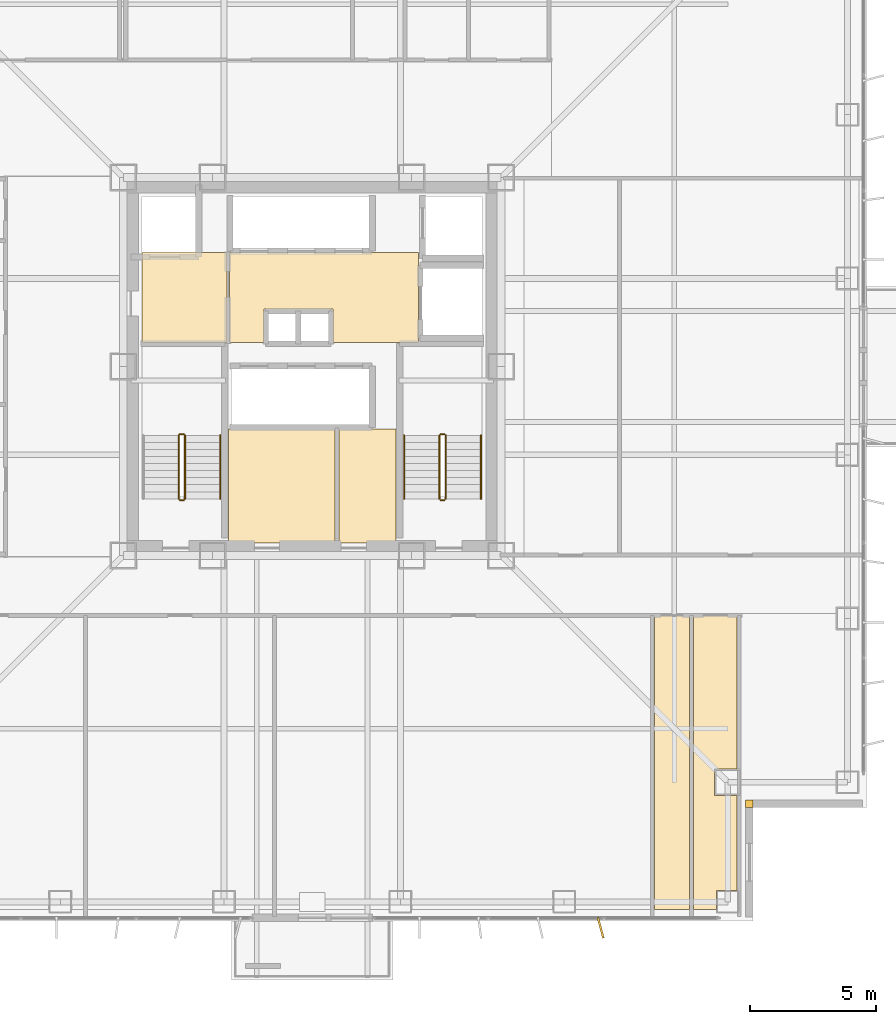
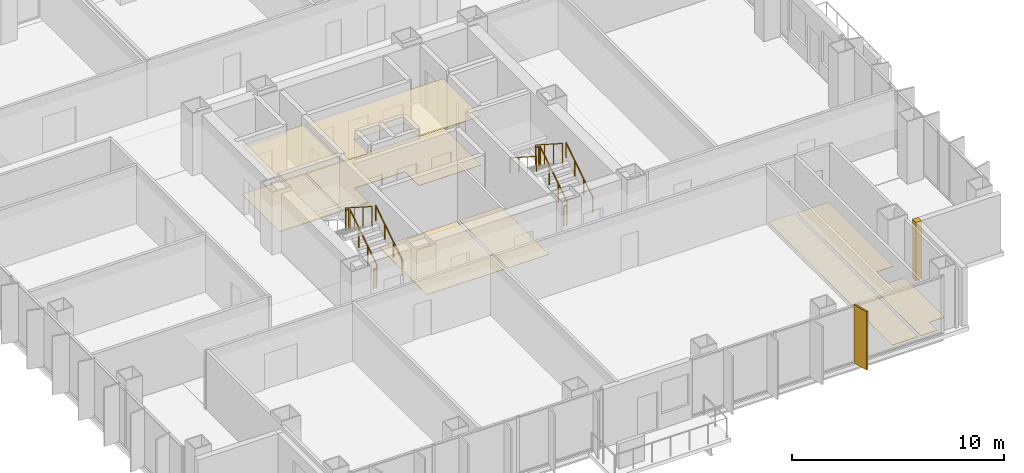
# One storey, part 17 of 18: 11 railings, 9 coverings, 1 shading device.
"""IFC4 building model written with IfcOpenShell, lengths in metres."""

from ifc_helpers import new_model, si_unit, direction, frame, origin, origin_2d, place, context, subcontext, project, spatial, polyline, rectangle, circle, outline, extrude, material, layer, layer_set, type_object, element, save


model = new_model("IFC4")

# Units and contexts
model_context = context("Model", 3, precision=1e-05, world=origin(), true_north=direction((0.0, 1.0)))
body_context = subcontext(model_context, "Body", "Model", "MODEL_VIEW")
ifc_project = project(units=[si_unit("LENGTHUNIT", "METRE"), si_unit("AREAUNIT", "SQUARE_METRE"), si_unit("VOLUMEUNIT", "CUBIC_METRE"), si_unit("PLANEANGLEUNIT", "RADIAN"), si_unit("MASSUNIT", "GRAM", prefix="KILO")], contexts=[model_context])

# Site, building, storey
site_placement = place(None, origin())
site = spatial("IfcSite", under=ifc_project, at=site_placement, CompositionType="ELEMENT")
building_placement = place(site_placement, origin())
building = spatial("IfcBuilding", under=site, at=building_placement, Name="Trevonay Congress Spire", CompositionType="ELEMENT")
storey_placement = place(building_placement, frame((0.0, 0.0, 104.800048828125)))
storey = spatial("IfcBuildingStorey", under=building, at=storey_placement, Name="L26", CompositionType="ELEMENT", Elevation=104.800048828125)

# Coverings
ifc_material_1 = material(Name="Acoustic Mineral Fibre Board", Category="gypsum")
ifc_layer_1 = layer(ifc_material_1, 0.02490234375, Name="Acoustic Mineral Fibre Board")
ifc_layer_set_1 = layer_set([ifc_layer_1], Name="Acoustic Mineral Fibre Board")
covering_type_1 = type_object("IfcCoveringType", Name="COV-CEIL-ACOUSTIC", PredefinedType="CEILING", material=ifc_layer_set_1)
covering_1_placement = place(storey_placement, frame((0.0, 0.0, 2.81005859375)))
element("IfcCovering", 1, at=covering_1_placement, inside=storey, type_object=covering_type_1, Name="L26 Firefighting Lift Lobby West acoustic suspended ceiling", PredefinedType="CEILING", context=body_context, shape_type="SweptSolid", body=[
    extrude(outline(polyline([(-6.75, 0.9599609375), (-3.3798828125, 0.9599609375), (-3.3798828125, 4.52001953125), (-6.75, 4.52001953125), (-6.75, 0.9599609375)])), origin(), (0.0, 0.0, 1.0), 0.02490234375),
])
covering_2_placement = place(storey_placement, frame((0.0, 0.0, 2.81005859375)))
element("IfcCovering", 2, at=covering_2_placement, inside=storey, type_object=covering_type_1, Name="L26 Central and High-Rise Passenger Lift Lobby acoustic suspended ceiling", PredefinedType="CEILING", context=body_context, shape_type="SweptSolid", body=[
    extrude(outline(polyline([(-3.280029296875, 0.949951171875), (-1.919921875, 0.949951171875), (-1.919921875, 2.280029296875), (0.820068359375, 2.280029296875), (0.820068359375, 0.949951171875), (4.219970703125, 0.949951171875), (4.219970703125, 4.52001953125), (-3.280029296875, 4.52001953125), (-3.280029296875, 0.949951171875)])), origin(), (0.0, 0.0, 1.0), 0.02490234375),
])
ifc_material_2 = material(Name="Polished Granite Floor Tile", Category="masonry")
ifc_layer_2 = layer(ifc_material_2, 0.02001953125, Name="Polished Granite Floor Tile")
ifc_layer_set_2 = layer_set([ifc_layer_2], Name="Polished Granite Floor Tile")
covering_type_2 = type_object("IfcCoveringType", Name="COV-FLOOR-STONE", PredefinedType="FLOORING", material=ifc_layer_set_2)
covering_3_placement = place(storey_placement, origin())
element("IfcCovering", 3, at=covering_3_placement, inside=storey, type_object=covering_type_2, Name="L26 Firefighting Lift Lobby West floor finish", PredefinedType="FLOORING", context=body_context, shape_type="SweptSolid", body=[
    extrude(outline(polyline([(-6.75, 0.9599609375), (-3.3798828125, 0.9599609375), (-3.3798828125, 4.52001953125), (-6.75, 4.52001953125), (-6.75, 0.9599609375)])), origin(), (0.0, 0.0, 1.0), 0.02001953125),
])
covering_4_placement = place(storey_placement, origin())
element("IfcCovering", 4, at=covering_4_placement, inside=storey, type_object=covering_type_2, Name="L26 Central and High-Rise Passenger Lift Lobby floor finish", PredefinedType="FLOORING", context=body_context, shape_type="SweptSolid", body=[
    extrude(outline(polyline([(-3.280029296875, 0.949951171875), (-1.919921875, 0.949951171875), (-1.919921875, 2.280029296875), (0.820068359375, 2.280029296875), (0.820068359375, 0.949951171875), (4.219970703125, 0.949951171875), (4.219970703125, 4.52001953125), (-3.280029296875, 4.52001953125), (-3.280029296875, 0.949951171875)])), origin(), (0.0, 0.0, 1.0), 0.02001953125),
])
covering_5_placement = place(storey_placement, origin())
element("IfcCovering", 5, at=covering_5_placement, inside=storey, type_object=covering_type_2, Name="L26 Translation Equipment Hub floor finish", PredefinedType="FLOORING", context=body_context, shape_type="SweptSolid", body=[
    extrude(outline(polyline([(-3.320068359375, -7.0), (0.89990234375, -7.0), (0.89990234375, -2.47998046875), (-3.320068359375, -2.47998046875), (-3.320068359375, -7.0)])), origin(), (0.0, 0.0, 1.0), 0.02001953125),
])
covering_6_placement = place(storey_placement, origin())
element("IfcCovering", 6, at=covering_6_placement, inside=storey, type_object=covering_type_2, Name="L26 Floor Supplies Store floor finish", PredefinedType="FLOORING", context=body_context, shape_type="SweptSolid", body=[
    extrude(outline(polyline([(1.06005859375, -7.0), (3.320068359375, -7.0), (3.320068359375, -2.47998046875), (1.06005859375, -2.47998046875), (1.06005859375, -7.0)])), origin(), (0.0, 0.0, 1.0), 0.02001953125),
])
covering_7_placement = place(storey_placement, origin())
element("IfcCovering", 7, at=covering_7_placement, inside=storey, type_object=covering_type_2, Name="L26 Accessible WC floor finish", PredefinedType="FLOORING", context=body_context, shape_type="SweptSolid", body=[
    extrude(outline(polyline([(13.580078125, -21.550048828125), (14.97998046875, -21.550048828125), (14.97998046875, -9.8798828125), (13.580078125, -9.8798828125), (13.580078125, -21.550048828125)])), origin(), (0.0, 0.0, 1.0), 0.02001953125),
])
covering_8_placement = place(storey_placement, origin())
element("IfcCovering", 8, at=covering_8_placement, inside=storey, type_object=covering_type_2, Name="L26 Floor Supplies and Copy Room floor finish", PredefinedType="FLOORING", context=body_context, shape_type="SweptSolid", body=[
    extrude(outline(polyline([(15.139892578125, -21.550048828125), (15.139892578125, -9.8798828125), (16.8701171875, -9.8798828125), (16.8701171875, -15.965087890625), (15.965087890625, -15.965087890625), (15.965087890625, -17.034912109375), (16.8701171875, -17.034912109375), (16.8701171875, -20.7900390625), (16.0400390625, -20.7900390625), (16.0400390625, -21.550048828125), (15.139892578125, -21.550048828125)])), origin(), (0.0, 0.0, 1.0), 0.02001953125),
])
ifc_material_3 = material(Name="Pale Anodised Aluminium EN AW-6063-T6", Category="aluminium")
ifc_layer_3 = layer(ifc_material_3, 0.0400390625, Name="Pale Anodised Aluminium EN AW-6063-T6")
ifc_layer_set_3 = layer_set([ifc_layer_3], Name="Pale Anodised Aluminium EN AW-6063-T6")
covering_type_3 = type_object("IfcCoveringType", Name="COV-SPANDREL-PALE-METAL", PredefinedType="CLADDING", material=ifc_layer_set_3)
covering_9_placement = place(storey_placement, origin())
element("IfcCovering", 9, at=covering_9_placement, inside=storey, type_object=covering_type_3, Name="L26 SE re-entrant notch corner closure trim", PredefinedType="CLADDING", context=body_context, shape_type="SweptSolid", body=[
    extrude(outline(polyline([(17.199951171875, -17.5), (17.5, -17.5), (17.5, -17.199951171875), (17.199951171875, -17.199951171875), (17.199951171875, -17.5)])), origin(), (0.0, 0.0, 1.0), 3.35986328125),
])

# Railings
railing_type_1 = type_object("IfcRailingType", Name="RAL-STAIR-GUARD-110", PredefinedType="GUARDRAIL", material=ifc_material_3)
railing_1_placement = place(storey_placement, frame((-5.050048828125, -5.25, 0.179931640625)))
element("IfcRailing", 10, at=railing_1_placement, inside=storey, type_object=railing_type_1, Name="L26 ST-1 stair guard 1", PredefinedType="GUARDRAIL", context=body_context, shape_type="SweptSolid", body=[
    extrude(circle(Radius=0.02392578125, at=origin_2d()), frame((0.0, 0.0, 1.1259765625), z_axis=(0.0, 0.841162588446, 0.540782303519), x_axis=(-1.0, 0.0, 0.0)), (0.0, 0.0, 1.0), 2.995849609375),
    extrude(circle(Radius=0.02099609375, at=origin_2d()), origin(), (0.0, 0.0, 1.0), 1.101806640625),
    extrude(circle(Radius=0.02099609375, at=origin_2d()), frame((0.0, 0.840087890625, 0.5400390625)), (0.0, 0.0, 1.0), 1.101806640625),
    extrude(circle(Radius=0.02099609375, at=origin_2d()), frame((0.0, 1.679931640625, 1.080078125)), (0.0, 0.0, 1.0), 1.101806640625),
    extrude(circle(Radius=0.02099609375, at=origin_2d()), frame((0.0, 2.52001953125, 1.6201171875)), (0.0, 0.0, 1.0), 1.101806640625),
])
railing_2_placement = place(storey_placement, frame((-5.10009765625, -2.679931640625, 1.800048828125)))
element("IfcRailing", 11, at=railing_2_placement, inside=storey, type_object=railing_type_1, Name="L26 ST-1 stair guard 2", PredefinedType="GUARDRAIL", context=body_context, shape_type="SweptSolid", body=[
    extrude(circle(Radius=0.02392578125, at=origin_2d()), frame((0.0, 0.0, 1.1259765625), z_axis=(-1.0, 0.0, 0.0), x_axis=(0.0, -1.0, 0.0)), (0.0, 0.0, 1.0), 0.14990234375),
    extrude(circle(Radius=0.02099609375, at=origin_2d()), origin(), (0.0, 0.0, 1.0), 1.101806640625),
    extrude(circle(Radius=0.02099609375, at=origin_2d()), frame((-0.14990234375, 0.0, 0.0)), (0.0, 0.0, 1.0), 1.101806640625),
])
railing_3_placement = place(storey_placement, frame((-5.300048828125, -2.72998046875, 1.97998046875)))
element("IfcRailing", 12, at=railing_3_placement, inside=storey, type_object=railing_type_1, Name="L26 ST-1 stair guard 3", PredefinedType="GUARDRAIL", context=body_context, shape_type="SweptSolid", body=[
    extrude(circle(Radius=0.02392578125, at=origin_2d()), frame((0.0, 0.0, 1.1259765625), z_axis=(0.0, -0.841199657755, 0.540724639528), x_axis=(1.0, 0.0, 0.0)), (0.0, 0.0, 1.0), 2.995849609375),
    extrude(circle(Radius=0.02099609375, at=origin_2d()), origin(), (0.0, 0.0, 1.0), 1.101806640625),
    extrude(circle(Radius=0.02099609375, at=origin_2d()), frame((0.0, -0.840087890625, 0.5400390625)), (0.0, 0.0, 1.0), 1.101806640625),
    extrude(circle(Radius=0.02099609375, at=origin_2d()), frame((0.0, -1.679931640625, 1.079833984375)), (0.0, 0.0, 1.0), 1.101806640625),
    extrude(circle(Radius=0.02099609375, at=origin_2d()), frame((0.0, -2.52001953125, 1.619873046875)), (0.0, 0.0, 1.0), 1.101806640625),
])
railing_4_placement = place(storey_placement, frame((-5.10009765625, -5.300048828125, 0.0)))
element("IfcRailing", 13, at=railing_4_placement, inside=storey, type_object=railing_type_1, Name="L26 ST-1 stair guard 4", PredefinedType="GUARDRAIL", context=body_context, shape_type="SweptSolid", body=[
    extrude(circle(Radius=0.02392578125, at=origin_2d()), frame((0.0, 0.0, 1.1259765625), z_axis=(-1.0, 0.0, 0.0), x_axis=(0.0, -1.0, 0.0)), (0.0, 0.0, 1.0), 0.14990234375),
    extrude(circle(Radius=0.02099609375, at=origin_2d()), origin(), (0.0, 0.0, 1.0), 1.101806640625),
    extrude(circle(Radius=0.02099609375, at=origin_2d()), frame((-0.14990234375, 0.0, 0.0)), (0.0, 0.0, 1.0), 1.101806640625),
])
railing_5_placement = place(storey_placement, frame((5.300048828125, -5.25, 0.179931640625)))
element("IfcRailing", 14, at=railing_5_placement, inside=storey, type_object=railing_type_1, Name="L26 ST-2 stair guard 1", PredefinedType="GUARDRAIL", context=body_context, shape_type="SweptSolid", body=[
    extrude(circle(Radius=0.02392578125, at=origin_2d()), frame((0.0, 0.0, 1.1259765625), z_axis=(0.0, 0.841162588446, 0.540782303519), x_axis=(-1.0, 0.0, 0.0)), (0.0, 0.0, 1.0), 2.995849609375),
    extrude(circle(Radius=0.02099609375, at=origin_2d()), origin(), (0.0, 0.0, 1.0), 1.101806640625),
    extrude(circle(Radius=0.02099609375, at=origin_2d()), frame((0.0, 0.840087890625, 0.5400390625)), (0.0, 0.0, 1.0), 1.101806640625),
    extrude(circle(Radius=0.02099609375, at=origin_2d()), frame((0.0, 1.679931640625, 1.080078125)), (0.0, 0.0, 1.0), 1.101806640625),
    extrude(circle(Radius=0.02099609375, at=origin_2d()), frame((0.0, 2.52001953125, 1.6201171875)), (0.0, 0.0, 1.0), 1.101806640625),
])
railing_6_placement = place(storey_placement, frame((5.25, -2.679931640625, 1.800048828125)))
element("IfcRailing", 15, at=railing_6_placement, inside=storey, type_object=railing_type_1, Name="L26 ST-2 stair guard 2", PredefinedType="GUARDRAIL", context=body_context, shape_type="SweptSolid", body=[
    extrude(circle(Radius=0.02392578125, at=origin_2d()), frame((0.0, 0.0, 1.1259765625), z_axis=(-1.0, 0.0, 0.0), x_axis=(0.0, -1.0, 0.0)), (0.0, 0.0, 1.0), 0.14990234375),
    extrude(circle(Radius=0.02099609375, at=origin_2d()), origin(), (0.0, 0.0, 1.0), 1.101806640625),
    extrude(circle(Radius=0.02099609375, at=origin_2d()), frame((-0.14990234375, 0.0, 0.0)), (0.0, 0.0, 1.0), 1.101806640625),
])
railing_7_placement = place(storey_placement, frame((5.050048828125, -2.72998046875, 1.97998046875)))
element("IfcRailing", 16, at=railing_7_placement, inside=storey, type_object=railing_type_1, Name="L26 ST-2 stair guard 3", PredefinedType="GUARDRAIL", context=body_context, shape_type="SweptSolid", body=[
    extrude(circle(Radius=0.02392578125, at=origin_2d()), frame((0.0, 0.0, 1.1259765625), z_axis=(0.0, -0.841199657755, 0.540724639528), x_axis=(1.0, 0.0, 0.0)), (0.0, 0.0, 1.0), 2.995849609375),
    extrude(circle(Radius=0.02099609375, at=origin_2d()), origin(), (0.0, 0.0, 1.0), 1.101806640625),
    extrude(circle(Radius=0.02099609375, at=origin_2d()), frame((0.0, -0.840087890625, 0.5400390625)), (0.0, 0.0, 1.0), 1.101806640625),
    extrude(circle(Radius=0.02099609375, at=origin_2d()), frame((0.0, -1.679931640625, 1.079833984375)), (0.0, 0.0, 1.0), 1.101806640625),
    extrude(circle(Radius=0.02099609375, at=origin_2d()), frame((0.0, -2.52001953125, 1.619873046875)), (0.0, 0.0, 1.0), 1.101806640625),
])
railing_8_placement = place(storey_placement, frame((5.25, -5.300048828125, 0.0)))
element("IfcRailing", 17, at=railing_8_placement, inside=storey, type_object=railing_type_1, Name="L26 ST-2 stair guard 4", PredefinedType="GUARDRAIL", context=body_context, shape_type="SweptSolid", body=[
    extrude(circle(Radius=0.02392578125, at=origin_2d()), frame((0.0, 0.0, 1.1259765625), z_axis=(-1.0, 0.0, 0.0), x_axis=(0.0, -1.0, 0.0)), (0.0, 0.0, 1.0), 0.14990234375),
    extrude(circle(Radius=0.02099609375, at=origin_2d()), origin(), (0.0, 0.0, 1.0), 1.101806640625),
    extrude(circle(Radius=0.02099609375, at=origin_2d()), frame((-0.14990234375, 0.0, 0.0)), (0.0, 0.0, 1.0), 1.101806640625),
])
railing_type_2 = type_object("IfcRailingType", Name="RAL-STAIR-HANDRAIL", PredefinedType="HANDRAIL", material=ifc_material_3)
for number, where, name in (
    (18, (-3.64990234375, -5.25, 0.179931640625), "L26 ST-1 stair handrail 1"),
    (19, (6.699951171875, -5.25, 0.179931640625), "L26 ST-2 stair handrail 1"),
):
    element("IfcRailing", number, at=place(storey_placement, frame(where)), inside=storey, type_object=railing_type_2, Name=name, PredefinedType="HANDRAIL", context=body_context, shape_type="SweptSolid", body=[
        extrude(circle(Radius=0.02392578125, at=origin_2d()), frame((0.0, 0.0, 0.8759765625), z_axis=(0.0, 0.841162588446, 0.540782303519), x_axis=(-1.0, 0.0, 0.0)), (0.0, 0.0, 1.0), 2.995849609375),
        extrude(circle(Radius=0.02099609375, at=origin_2d()), origin(), (0.0, 0.0, 1.0), 0.851806640625),
        extrude(circle(Radius=0.02099609375, at=origin_2d()), frame((0.0, 0.840087890625, 0.5400390625)), (0.0, 0.0, 1.0), 0.851806640625),
        extrude(circle(Radius=0.02099609375, at=origin_2d()), frame((0.0, 1.679931640625, 1.080078125)), (0.0, 0.0, 1.0), 0.851806640625),
        extrude(circle(Radius=0.02099609375, at=origin_2d()), frame((0.0, 2.52001953125, 1.6201171875)), (0.0, 0.0, 1.0), 0.851806640625),
    ])
railing_9_placement = place(storey_placement, frame((3.64990234375, -2.72998046875, 1.97998046875)))
element("IfcRailing", 20, at=railing_9_placement, inside=storey, type_object=railing_type_2, Name="L26 ST-2 stair handrail 2", PredefinedType="HANDRAIL", context=body_context, shape_type="SweptSolid", body=[
    extrude(circle(Radius=0.02392578125, at=origin_2d()), frame((0.0, 0.0, 0.8759765625), z_axis=(0.0, -0.841199657755, 0.540724639528), x_axis=(1.0, 0.0, 0.0)), (0.0, 0.0, 1.0), 2.995849609375),
    extrude(circle(Radius=0.02099609375, at=origin_2d()), origin(), (0.0, 0.0, 1.0), 0.851806640625),
    extrude(circle(Radius=0.02099609375, at=origin_2d()), frame((0.0, -0.840087890625, 0.5400390625)), (0.0, 0.0, 1.0), 0.851806640625),
    extrude(circle(Radius=0.02099609375, at=origin_2d()), frame((0.0, -1.679931640625, 1.079833984375)), (0.0, 0.0, 1.0), 0.851806640625),
    extrude(circle(Radius=0.02099609375, at=origin_2d()), frame((0.0, -2.52001953125, 1.619873046875)), (0.0, 0.0, 1.0), 0.851806640625),
])

# Shading device
shading_device_type = type_object("IfcShadingDeviceType", Name="SHD-FIN-Z2-PALE-METAL", PredefinedType="USERDEFINED", material=ifc_material_3)
shading_device_placement = place(storey_placement, frame((11.449951171875, -22.280029296875, 0.0), z_axis=(0.0, 0.0, 1.0), x_axis=(0.965925826289, 0.258819045103, 0.0)))
element("IfcShadingDevice", 21, at=shading_device_placement, inside=storey, type_object=shading_device_type, Name="L26 S vertical pale-metal solar fin 12", ObjectType="SOLAR FIN", PredefinedType="USERDEFINED", context=body_context, shape_type="SweptSolid", body=[
    extrude(rectangle(XDim=0.080078125, YDim=0.85009765625, at=origin_2d()), origin(), (0.0, 0.0, 1.0), 3.360107421875),
])

save(model, "model.ifc")
